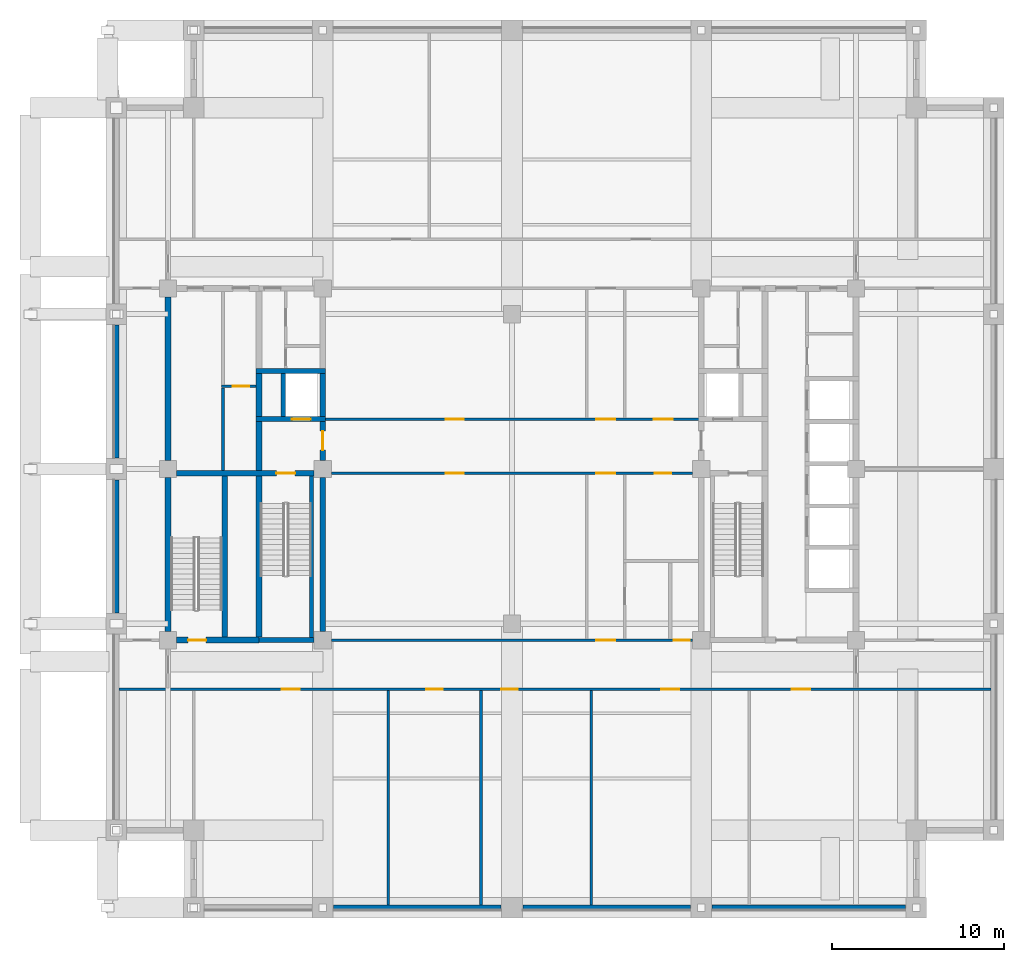
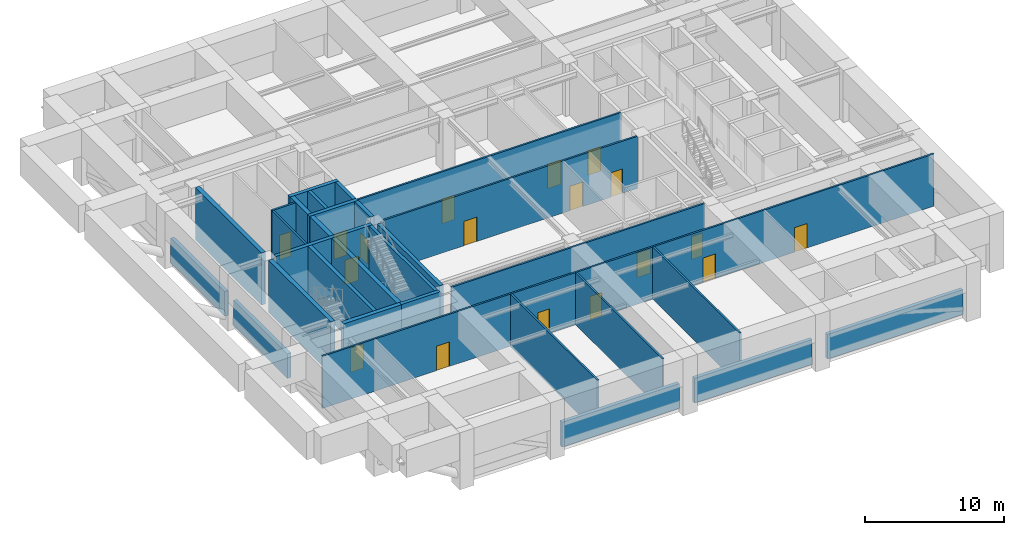
# One storey, part 3 of 11: 30 walls, 18 doors, 18 openings.
"""IFC4 building model written with IfcOpenShell, lengths in metres."""

from ifc_helpers import new_model, si_unit, direction, frame, frame_2d, origin, place, context, subcontext, project, spatial, rectangle, extrude, material, layer, layer_set, type_object, element, fill, save


model = new_model("IFC4")

# Units and contexts
model_context = context("Model", 3, precision=1e-05, world=origin(), true_north=direction((0.0, 1.0)))
body_context = subcontext(model_context, "Body", "Model", "MODEL_VIEW")
ifc_project = project(units=[si_unit("LENGTHUNIT", "METRE"), si_unit("AREAUNIT", "SQUARE_METRE"), si_unit("VOLUMEUNIT", "CUBIC_METRE"), si_unit("PLANEANGLEUNIT", "RADIAN"), si_unit("MASSUNIT", "GRAM", prefix="KILO")], contexts=[model_context])

# Site, building, storey
site_placement = place(None, origin())
site = spatial("IfcSite", under=ifc_project, at=site_placement, CompositionType="ELEMENT")
building_placement = place(site_placement, origin())
building = spatial("IfcBuilding", under=site, at=building_placement, Name="Zulmaris Gate Convention Tower", CompositionType="ELEMENT")
storey_placement = place(building_placement, frame((0.0, 0.0, 116.349853515625)))
storey = spatial("IfcBuildingStorey", under=building, at=storey_placement, Name="L29", CompositionType="ELEMENT", Elevation=116.349853515625)

# Walls
ifc_material_1 = material(Name="Concrete C50/60", Category="concrete")
ifc_layer_1 = layer(ifc_material_1, 0.25, Name="Concrete C50/60")
ifc_layer_set_1 = layer_set([ifc_layer_1], Name="Concrete C50/60")
wall_type_1 = type_object("IfcWallType", Name="CORE-250", PredefinedType="SOLIDWALL", material=ifc_layer_set_1)
wall_1_placement = place(storey_placement, frame((-13.300048828125, 3.052001953125, 0.0), z_axis=(0.0, 0.0, 1.0), x_axis=(0.0, 1.0, 0.0)))
element("IfcWall", 1, at=wall_1_placement, inside=storey, type_object=wall_type_1, Name="WL-L29-044", PredefinedType="SOLIDWALL", context=body_context, shape_type="SweptSolid", body=[
    extrude(rectangle(XDim=2.49609375, YDim=0.25, at=frame_2d((1.248046875, 0.0))), origin(), (0.0, 0.0, 1.0), 4.574951171875),
])
wall_2_placement = place(storey_placement, frame((-11.64990234375, -9.798095703125, 0.0), z_axis=(0.0, 0.0, 1.0), x_axis=(0.0, 1.0, 0.0)))
element("IfcWall", 2, at=wall_2_placement, inside=storey, type_object=wall_type_1, Name="WL-L29-045", PredefinedType="SOLIDWALL", context=body_context, shape_type="SweptSolid", body=[
    extrude(rectangle(XDim=9.39599609375, YDim=0.25, at=frame_2d((4.697998046875, 0.0))), origin(), (0.0, 0.0, 1.0), 4.574951171875),
])
ifc_layer_2 = layer(ifc_material_1, 0.300048828125, Name="Concrete C50/60")
ifc_layer_set_2 = layer_set([ifc_layer_2], Name="Concrete C50/60")
wall_type_2 = type_object("IfcWallType", Name="CORE-300", PredefinedType="SHEAR", material=ifc_layer_set_2)
wall_3_placement = place(storey_placement, frame((-14.699951171875, -9.949951171875, 0.0), z_axis=(0.0, 0.0, 1.0), x_axis=(1.0, 0.0, 0.0)))
element("IfcWall", 3, at=wall_3_placement, inside=storey, type_object=wall_type_2, Name="WL-L29-002", PredefinedType="SHEAR", context=body_context, shape_type="SweptSolid", body=[
    extrude(rectangle(XDim=3.196044921875, YDim=0.300048828125, at=frame_2d((1.59814453125, 0.0))), origin(), (0.0, 0.0, 1.0), 4.574951171875),
])

# Wall, opening, door
wall_4_placement = place(storey_placement, frame((-19.49609375, -0.25, 0.0), z_axis=(0.0, 0.0, 1.0), x_axis=(1.0, 0.0, 0.0)))
wall_4 = element("IfcWall", 4, at=wall_4_placement, inside=storey, type_object=wall_type_2, Name="WL-L29-008", PredefinedType="SHEAR", context=body_context, shape_type="SweptSolid", body=[
    extrude(rectangle(XDim=7.9921875, YDim=0.300048828125, at=frame_2d((3.99609375, 0.0))), origin(), (0.0, 0.0, 1.0), 4.574951171875),
])
opening_1_placement = place(wall_4_placement, frame((5.7958984375, 0.0, 0.0)))
opening_1 = element("IfcOpeningElement", 5, at=opening_1_placement, cuts=wall_4, Name="Opening D-08", PredefinedType="OPENING", context=body_context, shape_type="SweptSolid", body=[
    extrude(rectangle(XDim=1.10009765625, YDim=2.14990234375, at=frame_2d((0.550048828125, 1.074951171875))), frame((0.0, 0.16015625, 0.0), z_axis=(0.0, -1.0, 0.0), x_axis=(1.0, 0.0, 0.0)), (0.0, 0.0, 1.0), 0.320068359375),
])
ifc_material_2 = material(Name="Fire-Rated Steel", Category="steel")
door_type_1 = type_object("IfcDoorType", Name="DR-1100-FD", OperationType="NOTDEFINED", PredefinedType="DOOR", material=ifc_material_2)
door_1_placement = place(opening_1_placement, origin())
door_1 = element("IfcDoor", 6, at=door_1_placement, inside=storey, type_object=door_type_1, Name="L29 Exit Stair ST-1 Door 01", OperationType="SINGLE_SWING_RIGHT", OverallHeight=2.14990234375, OverallWidth=1.10009765625, PredefinedType="DOOR", context=body_context, shape_type="SweptSolid", body=[
    extrude(rectangle(XDim=1.10009765625, YDim=2.14990234375, at=frame_2d((0.550048828125, 1.074951171875))), frame((0.0, 0.02490234375, 0.0), z_axis=(0.0, -1.0, 0.0), x_axis=(1.0, 0.0, 0.0)), (0.0, 0.0, 1.0), 0.050048828125),
])
fill(opening_1, door_1)

wall_5_placement = place(storey_placement, frame((-14.875, 2.89990234375, 0.0), z_axis=(0.0, 0.0, 1.0), x_axis=(1.0, 0.0, 0.0)))
wall_5 = element("IfcWall", 7, at=wall_5_placement, inside=storey, type_object=wall_type_2, Name="WL-L29-012", PredefinedType="SHEAR", context=body_context, shape_type="SweptSolid", body=[
    extrude(rectangle(XDim=4.02490234375, YDim=0.300048828125, at=frame_2d((2.012451171875, 0.0))), origin(), (0.0, 0.0, 1.0), 4.574951171875),
])
opening_2_placement = place(wall_5_placement, frame((2.074951171875, 0.0, 0.0)))
opening_2 = element("IfcOpeningElement", 8, at=opening_2_placement, cuts=wall_5, Name="Opening D-06", PredefinedType="OPENING", context=body_context, shape_type="SweptSolid", body=[
    extrude(rectangle(XDim=1.10009765625, YDim=2.199951171875, at=frame_2d((0.550048828125, 1.10009765625))), frame((0.0, 0.16015625, 0.0), z_axis=(0.0, -1.0, 0.0), x_axis=(1.0, 0.0, 0.0)), (0.0, 0.0, 1.0), 0.320068359375),
])
ifc_material_3 = material(Name="Brushed Stainless Steel", Category="steel")
door_type_2 = type_object("IfcDoorType", Name="LD-1100", OperationType="NOTDEFINED", PredefinedType="DOOR", material=ifc_material_3)
door_2_placement = place(opening_2_placement, origin())
door_2 = element("IfcDoor", 9, at=door_2_placement, inside=storey, type_object=door_type_2, Name="L29 Lift Landing Door LF-01 03", OperationType="SLIDING_TO_LEFT", OverallHeight=2.199951171875, OverallWidth=1.10009765625, PredefinedType="DOOR", context=body_context, shape_type="SweptSolid", body=[
    extrude(rectangle(XDim=1.10009765625, YDim=2.199951171875, at=frame_2d((0.550048828125, 1.10009765625))), frame((0.0, 0.02490234375, 0.0), z_axis=(0.0, -1.0, 0.0), x_axis=(1.0, 0.0, 0.0)), (0.0, 0.0, 1.0), 0.050048828125),
])
fill(opening_2, door_2)

# Walls
wall_6_placement = place(storey_placement, frame((-14.875, 5.699951171875, 0.0), z_axis=(0.0, 0.0, 1.0), x_axis=(1.0, 0.0, 0.0)))
element("IfcWall", 10, at=wall_6_placement, inside=storey, type_object=wall_type_2, Name="WL-L29-015", PredefinedType="SHEAR", context=body_context, shape_type="SweptSolid", body=[
    extrude(rectangle(XDim=4.02490234375, YDim=0.300048828125, at=frame_2d((2.012451171875, 0.0))), origin(), (0.0, 0.0, 1.0), 4.574951171875),
])
wall_7_placement = place(storey_placement, frame((-16.699951171875, -9.77294921875, 0.0), z_axis=(0.0, 0.0, 1.0), x_axis=(0.0, 1.0, 0.0)))
element("IfcWall", 11, at=wall_7_placement, inside=storey, type_object=wall_type_2, Name="WL-L29-039", PredefinedType="SHEAR", context=body_context, shape_type="SweptSolid", body=[
    extrude(rectangle(XDim=9.370849609375, YDim=0.300048828125, at=frame_2d((4.685546875, 0.0))), origin(), (0.0, 0.0, 1.0), 4.574951171875),
])
wall_8_placement = place(storey_placement, frame((-11.0, -9.446044921875, 0.0), z_axis=(0.0, 0.0, 1.0), x_axis=(0.0, 1.0, 0.0)))
element("IfcWall", 12, at=wall_8_placement, inside=storey, type_object=wall_type_2, Name="WL-L29-046", PredefinedType="SHEAR", context=body_context, shape_type="SweptSolid", body=[
    extrude(rectangle(XDim=8.942138671875, YDim=0.300048828125, at=frame_2d((4.47119140625, 0.0))), origin(), (0.0, 0.0, 1.0), 4.574951171875),
])

# Wall, opening, door
wall_9_placement = place(storey_placement, frame((-11.0, 0.50390625, 0.0), z_axis=(0.0, 0.0, 1.0), x_axis=(0.0, 1.0, 0.0)))
wall_9 = element("IfcWall", 13, at=wall_9_placement, inside=storey, type_object=wall_type_2, Name="WL-L29-047", PredefinedType="SHEAR", context=body_context, shape_type="SweptSolid", body=[
    extrude(rectangle(XDim=2.244140625, YDim=0.300048828125, at=frame_2d((1.1220703125, 0.0))), origin(), (0.0, 0.0, 1.0), 4.574951171875),
])
opening_3_placement = place(wall_9_placement, frame((0.595947265625, 0.0, 0.0)))
opening_3 = element("IfcOpeningElement", 14, at=opening_3_placement, cuts=wall_9, Name="Opening D-08", PredefinedType="OPENING", context=body_context, shape_type="SweptSolid", body=[
    extrude(rectangle(XDim=1.10009765625, YDim=2.14990234375, at=frame_2d((0.550048828125, 1.074951171875))), frame((0.0, 0.16015625, 0.0), z_axis=(0.0, -1.0, 0.0), x_axis=(1.0, 0.0, 0.0)), (0.0, 0.0, 1.0), 0.320068359375),
])
door_3_placement = place(opening_3_placement, origin())
door_3 = element("IfcDoor", 15, at=door_3_placement, inside=storey, type_object=door_type_1, Name="L29 West Firefighting Lobby Door 02", OperationType="SINGLE_SWING_LEFT", OverallHeight=2.14990234375, OverallWidth=1.10009765625, PredefinedType="DOOR", context=body_context, shape_type="SweptSolid", body=[
    extrude(rectangle(XDim=1.10009765625, YDim=2.14990234375, at=frame_2d((0.550048828125, 1.074951171875))), frame((0.0, 0.02490234375, 0.0), z_axis=(0.0, -1.0, 0.0), x_axis=(1.0, 0.0, 0.0)), (0.0, 0.0, 1.0), 0.050048828125),
])
fill(opening_3, door_3)

# Wall
wall_10_placement = place(storey_placement, frame((-11.0, 3.052001953125, 0.0), z_axis=(0.0, 0.0, 1.0), x_axis=(0.0, 1.0, 0.0)))
element("IfcWall", 16, at=wall_10_placement, inside=storey, type_object=wall_type_2, Name="WL-L29-048", PredefinedType="SHEAR", context=body_context, shape_type="SweptSolid", body=[
    extrude(rectangle(XDim=2.49609375, YDim=0.300048828125, at=frame_2d((1.248046875, 0.0))), origin(), (0.0, 0.0, 1.0), 4.574951171875),
])

# Wall, opening, door
ifc_material_4 = material(Name="Concrete C55/67", Category="concrete")
ifc_layer_3 = layer(ifc_material_4, 0.35009765625, Name="Concrete C55/67")
ifc_layer_set_3 = layer_set([ifc_layer_3], Name="Concrete C55/67")
wall_type_3 = type_object("IfcWallType", Name="CORE-350", PredefinedType="SHEAR", material=ifc_layer_set_3)
wall_11_placement = place(storey_placement, frame((-19.49609375, -9.949951171875, 0.0), z_axis=(0.0, 0.0, 1.0), x_axis=(1.0, 0.0, 0.0)))
wall_11 = element("IfcWall", 17, at=wall_11_placement, inside=storey, type_object=wall_type_3, Name="WL-L29-001", PredefinedType="SHEAR", context=body_context, shape_type="SweptSolid", body=[
    extrude(rectangle(XDim=4.796142578125, YDim=0.35009765625, at=frame_2d((2.39794921875, 0.0))), origin(), (0.0, 0.0, 1.0), 4.574951171875),
])
opening_4_placement = place(wall_11_placement, frame((0.6708984375, 0.0, 0.0)))
opening_4 = element("IfcOpeningElement", 18, at=opening_4_placement, cuts=wall_11, Name="Opening D-09", PredefinedType="OPENING", context=body_context, shape_type="SweptSolid", body=[
    extrude(rectangle(XDim=1.050048828125, YDim=2.14990234375, at=frame_2d((0.52490234375, 1.074951171875))), frame((0.0, 0.18505859375, 0.0), z_axis=(0.0, -1.0, 0.0), x_axis=(1.0, 0.0, 0.0)), (0.0, 0.0, 1.0), 0.3701171875),
])
door_type_3 = type_object("IfcDoorType", Name="DR-1050-FD", OperationType="NOTDEFINED", PredefinedType="DOOR", material=ifc_material_2)
door_4_placement = place(opening_4_placement, origin())
door_4 = element("IfcDoor", 19, at=door_4_placement, inside=storey, type_object=door_type_3, Name="L29 Exit Stair ST-3 Door 13", OperationType="SINGLE_SWING_RIGHT", OverallHeight=2.14990234375, OverallWidth=1.050048828125, PredefinedType="DOOR", context=body_context, shape_type="SweptSolid", body=[
    extrude(rectangle(XDim=1.050048828125, YDim=2.14990234375, at=frame_2d((0.52490234375, 1.074951171875))), frame((0.0, 0.02490234375, 0.0), z_axis=(0.0, -1.0, 0.0), x_axis=(1.0, 0.0, 0.0)), (0.0, 0.0, 1.0), 0.050048828125),
])
fill(opening_4, door_4)

# Walls
wall_12_placement = place(storey_placement, frame((-20.0, -9.446044921875, 0.0), z_axis=(0.0, 0.0, 1.0), x_axis=(0.0, 1.0, 0.0)))
element("IfcWall", 20, at=wall_12_placement, inside=storey, type_object=wall_type_3, Name="WL-L29-037", PredefinedType="SHEAR", context=body_context, shape_type="SweptSolid", body=[
    extrude(rectangle(XDim=8.942138671875, YDim=0.35009765625, at=frame_2d((4.47119140625, 0.0))), origin(), (0.0, 0.0, 1.0), 4.574951171875),
])
wall_13_placement = place(storey_placement, frame((-20.0, 0.50390625, 0.0), z_axis=(0.0, 0.0, 1.0), x_axis=(0.0, 1.0, 0.0)))
element("IfcWall", 21, at=wall_13_placement, inside=storey, type_object=wall_type_3, Name="WL-L29-038", PredefinedType="SHEAR", context=body_context, shape_type="SweptSolid", body=[
    extrude(rectangle(XDim=9.4921875, YDim=0.35009765625, at=frame_2d((4.74609375, 0.0))), origin(), (0.0, 0.0, 1.0), 4.574951171875),
])
wall_14_placement = place(storey_placement, frame((-14.699951171875, -9.77294921875, 0.0), z_axis=(0.0, 0.0, 1.0), x_axis=(0.0, 1.0, 0.0)))
element("IfcWall", 22, at=wall_14_placement, inside=storey, type_object=wall_type_3, Name="WL-L29-040", PredefinedType="SHEAR", context=body_context, shape_type="SweptSolid", body=[
    extrude(rectangle(XDim=9.370849609375, YDim=0.35009765625, at=frame_2d((4.685546875, 0.0))), origin(), (0.0, 0.0, 1.0), 4.574951171875),
])
wall_15_placement = place(storey_placement, frame((-14.699951171875, -0.097900390625, 0.0), z_axis=(0.0, 0.0, 1.0), x_axis=(0.0, 1.0, 0.0)))
element("IfcWall", 23, at=wall_15_placement, inside=storey, type_object=wall_type_3, Name="WL-L29-041", PredefinedType="SHEAR", context=body_context, shape_type="SweptSolid", body=[
    extrude(rectangle(XDim=2.845947265625, YDim=0.35009765625, at=frame_2d((1.4228515625, 0.0))), origin(), (0.0, 0.0, 1.0), 4.574951171875),
])
wall_16_placement = place(storey_placement, frame((-14.699951171875, 3.052001953125, 0.0), z_axis=(0.0, 0.0, 1.0), x_axis=(0.0, 1.0, 0.0)))
element("IfcWall", 24, at=wall_16_placement, inside=storey, type_object=wall_type_3, Name="WL-L29-042", PredefinedType="SHEAR", context=body_context, shape_type="SweptSolid", body=[
    extrude(rectangle(XDim=2.49609375, YDim=0.35009765625, at=frame_2d((1.248046875, 0.0))), origin(), (0.0, 0.0, 1.0), 4.574951171875),
])

# Wall, openings, doors
ifc_material_5 = material(Name="Gypsum Metal Stud Partition")
ifc_layer_4 = layer(ifc_material_5, 0.14990234375, Name="Gypsum Metal Stud Partition")
ifc_layer_set_4 = layer_set([ifc_layer_4], Name="Gypsum Metal Stud Partition")
wall_type_4 = type_object("IfcWallType", Name="PART-150", PredefinedType="PARTITIONING", material=ifc_layer_set_4)
wall_17_placement = place(storey_placement, frame((-22.8349609375, -12.800048828125, 0.0), z_axis=(0.0, 0.0, 1.0), x_axis=(1.0, 0.0, 0.0)))
wall_17 = element("IfcWall", 25, at=wall_17_placement, inside=storey, type_object=wall_type_4, Name="WL-L29-021", PredefinedType="PARTITIONING", context=body_context, shape_type="SweptSolid", body=[
    extrude(rectangle(XDim=50.669921875, YDim=0.14990234375, at=frame_2d((25.3349609375, 0.0))), origin(), (0.0, 0.0, 1.0), 4.574951171875),
])
opening_5_placement = place(wall_17_placement, frame((9.4599609375, 0.0, 0.0)))
opening_5 = element("IfcOpeningElement", 26, at=opening_5_placement, cuts=wall_17, Name="Opening D-09", PredefinedType="OPENING", context=body_context, shape_type="SweptSolid", body=[
    extrude(rectangle(XDim=1.050048828125, YDim=2.14990234375, at=frame_2d((0.52490234375, 1.074951171875))), frame((0.0, 0.0849609375, 0.0), z_axis=(0.0, -1.0, 0.0), x_axis=(1.0, 0.0, 0.0)), (0.0, 0.0, 1.0), 0.169921875),
])
opening_6_placement = place(wall_17_placement, frame((17.860107421875, 0.0, 0.0)))
opening_6 = element("IfcOpeningElement", 27, at=opening_6_placement, cuts=wall_17, Name="Opening D-11", PredefinedType="OPENING", context=body_context, shape_type="SweptSolid", body=[
    extrude(rectangle(XDim=0.949951171875, YDim=2.14990234375, at=frame_2d((0.47509765625, 1.074951171875))), frame((0.0, 0.0849609375, 0.0), z_axis=(0.0, -1.0, 0.0), x_axis=(1.0, 0.0, 0.0)), (0.0, 0.0, 1.0), 0.169921875),
])
opening_7_placement = place(wall_17_placement, frame((22.2099609375, 0.0, 0.0)))
opening_7 = element("IfcOpeningElement", 28, at=opening_7_placement, cuts=wall_17, Name="Opening D-25", PredefinedType="OPENING", context=body_context, shape_type="SweptSolid", body=[
    extrude(rectangle(XDim=0.949951171875, YDim=2.02001953125, at=frame_2d((0.47509765625, 1.010009765625))), frame((0.0, 0.0849609375, 0.0), z_axis=(0.0, -1.0, 0.0), x_axis=(1.0, 0.0, 0.0)), (0.0, 0.0, 1.0), 0.169921875),
])
opening_8_placement = place(wall_17_placement, frame((31.510009765625, 0.0, 0.0)))
opening_8 = element("IfcOpeningElement", 29, at=opening_8_placement, cuts=wall_17, Name="Opening D-09", PredefinedType="OPENING", context=body_context, shape_type="SweptSolid", body=[
    extrude(rectangle(XDim=1.050048828125, YDim=2.14990234375, at=frame_2d((0.52490234375, 1.074951171875))), frame((0.0, 0.0849609375, 0.0), z_axis=(0.0, -1.0, 0.0), x_axis=(1.0, 0.0, 0.0)), (0.0, 0.0, 1.0), 0.169921875),
])
opening_9_placement = place(wall_17_placement, frame((39.110107421875, 0.0, 0.0)))
opening_9 = element("IfcOpeningElement", 30, at=opening_9_placement, cuts=wall_17, Name="Opening D-09", PredefinedType="OPENING", context=body_context, shape_type="SweptSolid", body=[
    extrude(rectangle(XDim=1.050048828125, YDim=2.14990234375, at=frame_2d((0.52490234375, 1.074951171875))), frame((0.0, 0.0849609375, 0.0), z_axis=(0.0, -1.0, 0.0), x_axis=(1.0, 0.0, 0.0)), (0.0, 0.0, 1.0), 0.169921875),
])
door_5_placement = place(opening_5_placement, origin())
door_5 = element("IfcDoor", 31, at=door_5_placement, inside=storey, type_object=door_type_3, Name="L29 Partner Corner Office Door 31", OperationType="SINGLE_SWING_RIGHT", OverallHeight=2.14990234375, OverallWidth=1.050048828125, PredefinedType="DOOR", context=body_context, shape_type="SweptSolid", body=[
    extrude(rectangle(XDim=1.050048828125, YDim=2.14990234375, at=frame_2d((0.52490234375, 1.074951171875))), frame((0.0, 0.02490234375, 0.0), z_axis=(0.0, -1.0, 0.0), x_axis=(1.0, 0.0, 0.0)), (0.0, 0.0, 1.0), 0.050048828125),
])
fill(opening_5, door_5)
door_6_placement = place(opening_8_placement, origin())
door_6 = element("IfcDoor", 32, at=door_6_placement, inside=storey, type_object=door_type_3, Name="L29 Executive Office Door 34", OperationType="SINGLE_SWING_LEFT", OverallHeight=2.14990234375, OverallWidth=1.050048828125, PredefinedType="DOOR", context=body_context, shape_type="SweptSolid", body=[
    extrude(rectangle(XDim=1.050048828125, YDim=2.14990234375, at=frame_2d((0.52490234375, 1.074951171875))), frame((0.0, 0.02490234375, 0.0), z_axis=(0.0, -1.0, 0.0), x_axis=(1.0, 0.0, 0.0)), (0.0, 0.0, 1.0), 0.050048828125),
])
fill(opening_8, door_6)
door_7_placement = place(opening_9_placement, origin())
door_7 = element("IfcDoor", 33, at=door_7_placement, inside=storey, type_object=door_type_3, Name="L29 Partner Corner Office Door 35", OperationType="SINGLE_SWING_RIGHT", OverallHeight=2.14990234375, OverallWidth=1.050048828125, PredefinedType="DOOR", context=body_context, shape_type="SweptSolid", body=[
    extrude(rectangle(XDim=1.050048828125, YDim=2.14990234375, at=frame_2d((0.52490234375, 1.074951171875))), frame((0.0, 0.02490234375, 0.0), z_axis=(0.0, -1.0, 0.0), x_axis=(1.0, 0.0, 0.0)), (0.0, 0.0, 1.0), 0.050048828125),
])
fill(opening_9, door_7)
ifc_material_6 = material(Name="Fire-Rated Timber", Category="wood")
door_type_4 = type_object("IfcDoorType", Name="DR-950-FD", OperationType="NOTDEFINED", PredefinedType="DOOR", material=ifc_material_6)
door_8_placement = place(opening_6_placement, origin())
door_8 = element("IfcDoor", 34, at=door_8_placement, inside=storey, type_object=door_type_4, Name="L29 Advisory Suite Office Door 32", OperationType="SINGLE_SWING_LEFT", OverallHeight=2.14990234375, OverallWidth=0.949951171875, PredefinedType="DOOR", context=body_context, shape_type="SweptSolid", body=[
    extrude(rectangle(XDim=0.949951171875, YDim=2.14990234375, at=frame_2d((0.47509765625, 1.074951171875))), frame((0.0, 0.02490234375, 0.0), z_axis=(0.0, -1.0, 0.0), x_axis=(1.0, 0.0, 0.0)), (0.0, 0.0, 1.0), 0.050048828125),
])
fill(opening_6, door_8)
door_type_5 = type_object("IfcDoorType", Name="DR-950-LOW-FD", OperationType="NOTDEFINED", PredefinedType="DOOR", material=ifc_material_2)
door_9_placement = place(opening_7_placement, origin())
door_9 = element("IfcDoor", 35, at=door_9_placement, inside=storey, type_object=door_type_5, Name="L29 Open Plan Workplace Door 33", OperationType="SINGLE_SWING_RIGHT", OverallHeight=2.02001953125, OverallWidth=0.949951171875, PredefinedType="DOOR", context=body_context, shape_type="SweptSolid", body=[
    extrude(rectangle(XDim=0.949951171875, YDim=2.02001953125, at=frame_2d((0.47509765625, 1.010009765625))), frame((0.0, 0.02490234375, 0.0), z_axis=(0.0, -1.0, 0.0), x_axis=(1.0, 0.0, 0.0)), (0.0, 0.0, 1.0), 0.050048828125),
])
fill(opening_7, door_9)

wall_18_placement = place(storey_placement, frame((-10.493896484375, -9.949951171875, 0.0), z_axis=(0.0, 0.0, 1.0), x_axis=(1.0, 0.0, 0.0)))
wall_18 = element("IfcWall", 36, at=wall_18_placement, inside=storey, type_object=wall_type_4, Name="WL-L29-023", PredefinedType="PARTITIONING", context=body_context, shape_type="SweptSolid", body=[
    extrude(rectangle(XDim=20.98779296875, YDim=0.14990234375, at=frame_2d((10.493896484375, 0.0))), origin(), (0.0, 0.0, 1.0), 4.574951171875),
])
opening_10_placement = place(wall_18_placement, frame((15.39404296875, 0.0, 0.0)))
opening_10 = element("IfcOpeningElement", 37, at=opening_10_placement, cuts=wall_18, Name="Opening D-08", PredefinedType="OPENING", context=body_context, shape_type="SweptSolid", body=[
    extrude(rectangle(XDim=1.10009765625, YDim=2.14990234375, at=frame_2d((0.550048828125, 1.074951171875))), frame((0.0, 0.0849609375, 0.0), z_axis=(0.0, -1.0, 0.0), x_axis=(1.0, 0.0, 0.0)), (0.0, 0.0, 1.0), 0.169921875),
])
opening_11_placement = place(wall_18_placement, frame((19.887939453125, 0.0, 0.0)))
opening_11 = element("IfcOpeningElement", 38, at=opening_11_placement, cuts=wall_18, Name="Opening D-25", PredefinedType="OPENING", context=body_context, shape_type="SweptSolid", body=[
    extrude(rectangle(XDim=0.949951171875, YDim=2.02001953125, at=frame_2d((0.47509765625, 1.010009765625))), frame((0.0, 0.0849609375, 0.0), z_axis=(0.0, -1.0, 0.0), x_axis=(1.0, 0.0, 0.0)), (0.0, 0.0, 1.0), 0.169921875),
])
door_10_placement = place(opening_10_placement, origin())
door_10 = element("IfcDoor", 39, at=door_10_placement, inside=storey, type_object=door_type_1, Name="L29 South Gallery Link Door 26", OperationType="SINGLE_SWING_LEFT", OverallHeight=2.14990234375, OverallWidth=1.10009765625, PredefinedType="DOOR", context=body_context, shape_type="SweptSolid", body=[
    extrude(rectangle(XDim=1.10009765625, YDim=2.14990234375, at=frame_2d((0.550048828125, 1.074951171875))), frame((0.0, 0.02490234375, 0.0), z_axis=(0.0, -1.0, 0.0), x_axis=(1.0, 0.0, 0.0)), (0.0, 0.0, 1.0), 0.050048828125),
])
fill(opening_10, door_10)
door_11_placement = place(opening_11_placement, origin())
door_11 = element("IfcDoor", 40, at=door_11_placement, inside=storey, type_object=door_type_5, Name="L29 Vault Store Door 41", OperationType="SINGLE_SWING_RIGHT", OverallHeight=2.02001953125, OverallWidth=0.949951171875, PredefinedType="DOOR", context=body_context, shape_type="SweptSolid", body=[
    extrude(rectangle(XDim=0.949951171875, YDim=2.02001953125, at=frame_2d((0.47509765625, 1.010009765625))), frame((0.0, 0.02490234375, 0.0), z_axis=(0.0, -1.0, 0.0), x_axis=(1.0, 0.0, 0.0)), (0.0, 0.0, 1.0), 0.050048828125),
])
fill(opening_11, door_11)

wall_19_placement = place(storey_placement, frame((-10.493896484375, -0.25, 0.0), z_axis=(0.0, 0.0, 1.0), x_axis=(1.0, 0.0, 0.0)))
wall_19 = element("IfcWall", 41, at=wall_19_placement, inside=storey, type_object=wall_type_4, Name="WL-L29-026", PredefinedType="PARTITIONING", context=body_context, shape_type="SweptSolid", body=[
    extrude(rectangle(XDim=20.98779296875, YDim=0.14990234375, at=frame_2d((10.493896484375, 0.0))), origin(), (0.0, 0.0, 1.0), 4.574951171875),
])
opening_12_placement = place(wall_19_placement, frame((15.39404296875, 0.0, 0.0)))
opening_12 = element("IfcOpeningElement", 42, at=opening_12_placement, cuts=wall_19, Name="Opening D-08", PredefinedType="OPENING", context=body_context, shape_type="SweptSolid", body=[
    extrude(rectangle(XDim=1.10009765625, YDim=2.14990234375, at=frame_2d((0.550048828125, 1.074951171875))), frame((0.0, 0.0849609375, 0.0), z_axis=(0.0, -1.0, 0.0), x_axis=(1.0, 0.0, 0.0)), (0.0, 0.0, 1.0), 0.169921875),
])
opening_13_placement = place(wall_19_placement, frame((6.638916015625, 0.0, 0.0)))
opening_13 = element("IfcOpeningElement", 43, at=opening_13_placement, cuts=wall_19, Name="Opening D-09", PredefinedType="OPENING", context=body_context, shape_type="SweptSolid", body=[
    extrude(rectangle(XDim=1.050048828125, YDim=2.14990234375, at=frame_2d((0.52490234375, 1.074951171875))), frame((0.0, 0.0849609375, 0.0), z_axis=(0.0, -1.0, 0.0), x_axis=(1.0, 0.0, 0.0)), (0.0, 0.0, 1.0), 0.169921875),
])
opening_14_placement = place(wall_19_placement, frame((18.799072265625, 0.0, 0.0)))
opening_14 = element("IfcOpeningElement", 44, at=opening_14_placement, cuts=wall_19, Name="Opening D-11", PredefinedType="OPENING", context=body_context, shape_type="SweptSolid", body=[
    extrude(rectangle(XDim=0.949951171875, YDim=2.14990234375, at=frame_2d((0.47509765625, 1.074951171875))), frame((0.0, 0.0849609375, 0.0), z_axis=(0.0, -1.0, 0.0), x_axis=(1.0, 0.0, 0.0)), (0.0, 0.0, 1.0), 0.169921875),
])
door_12_placement = place(opening_13_placement, origin())
door_12 = element("IfcDoor", 45, at=door_12_placement, inside=storey, type_object=door_type_3, Name="L29 Sky Library Door 38", OperationType="SINGLE_SWING_LEFT", OverallHeight=2.14990234375, OverallWidth=1.050048828125, PredefinedType="DOOR", context=body_context, shape_type="SweptSolid", body=[
    extrude(rectangle(XDim=1.050048828125, YDim=2.14990234375, at=frame_2d((0.52490234375, 1.074951171875))), frame((0.0, 0.02490234375, 0.0), z_axis=(0.0, -1.0, 0.0), x_axis=(1.0, 0.0, 0.0)), (0.0, 0.0, 1.0), 0.050048828125),
])
fill(opening_13, door_12)
door_13_placement = place(opening_12_placement, origin())
door_13 = element("IfcDoor", 46, at=door_13_placement, inside=storey, type_object=door_type_1, Name="L29 Cross Spine South Door 28", OperationType="SINGLE_SWING_LEFT", OverallHeight=2.14990234375, OverallWidth=1.10009765625, PredefinedType="DOOR", context=body_context, shape_type="SweptSolid", body=[
    extrude(rectangle(XDim=1.10009765625, YDim=2.14990234375, at=frame_2d((0.550048828125, 1.074951171875))), frame((0.0, 0.02490234375, 0.0), z_axis=(0.0, -1.0, 0.0), x_axis=(1.0, 0.0, 0.0)), (0.0, 0.0, 1.0), 0.050048828125),
])
fill(opening_12, door_13)
door_14_placement = place(opening_14_placement, origin())
door_14 = element("IfcDoor", 47, at=door_14_placement, inside=storey, type_object=door_type_4, Name="L29 Public WC Door 39", OperationType="SINGLE_SWING_RIGHT", OverallHeight=2.14990234375, OverallWidth=0.949951171875, PredefinedType="DOOR", context=body_context, shape_type="SweptSolid", body=[
    extrude(rectangle(XDim=0.949951171875, YDim=2.14990234375, at=frame_2d((0.47509765625, 1.074951171875))), frame((0.0, 0.02490234375, 0.0), z_axis=(0.0, -1.0, 0.0), x_axis=(1.0, 0.0, 0.0)), (0.0, 0.0, 1.0), 0.050048828125),
])
fill(opening_14, door_14)

wall_20_placement = place(storey_placement, frame((-11.0, 2.89990234375, 0.0), z_axis=(0.0, 0.0, 1.0), x_axis=(1.0, 0.0, 0.0)))
wall_20 = element("IfcWall", 48, at=wall_20_placement, inside=storey, type_object=wall_type_4, Name="WL-L29-028", PredefinedType="PARTITIONING", context=body_context, shape_type="SweptSolid", body=[
    extrude(rectangle(XDim=22.0, YDim=0.14990234375, at=frame_2d((11.0, 0.0))), origin(), (0.0, 0.0, 1.0), 4.574951171875),
])
opening_15_placement = place(wall_20_placement, frame((15.89990234375, 0.0, 0.0)))
opening_15 = element("IfcOpeningElement", 49, at=opening_15_placement, cuts=wall_20, Name="Opening D-08", PredefinedType="OPENING", context=body_context, shape_type="SweptSolid", body=[
    extrude(rectangle(XDim=1.10009765625, YDim=2.14990234375, at=frame_2d((0.550048828125, 1.074951171875))), frame((0.0, 0.0849609375, 0.0), z_axis=(0.0, -1.0, 0.0), x_axis=(1.0, 0.0, 0.0)), (0.0, 0.0, 1.0), 0.169921875),
])
opening_16_placement = place(wall_20_placement, frame((7.14501953125, 0.0, 0.0)))
opening_16 = element("IfcOpeningElement", 50, at=opening_16_placement, cuts=wall_20, Name="Opening D-09", PredefinedType="OPENING", context=body_context, shape_type="SweptSolid", body=[
    extrude(rectangle(XDim=1.050048828125, YDim=2.14990234375, at=frame_2d((0.52490234375, 1.074951171875))), frame((0.0, 0.0849609375, 0.0), z_axis=(0.0, -1.0, 0.0), x_axis=(1.0, 0.0, 0.0)), (0.0, 0.0, 1.0), 0.169921875),
])
opening_17_placement = place(wall_20_placement, frame((19.22998046875, 0.0, 0.0)))
opening_17 = element("IfcOpeningElement", 51, at=opening_17_placement, cuts=wall_20, Name="Opening D-08", PredefinedType="OPENING", context=body_context, shape_type="SweptSolid", body=[
    extrude(rectangle(XDim=1.10009765625, YDim=2.14990234375, at=frame_2d((0.550048828125, 1.074951171875))), frame((0.0, 0.0849609375, 0.0), z_axis=(0.0, -1.0, 0.0), x_axis=(1.0, 0.0, 0.0)), (0.0, 0.0, 1.0), 0.169921875),
])
door_15_placement = place(opening_16_placement, origin())
door_15 = element("IfcDoor", 52, at=door_15_placement, inside=storey, type_object=door_type_3, Name="L29 Reception Door 36", OperationType="SINGLE_SWING_LEFT", OverallHeight=2.14990234375, OverallWidth=1.050048828125, PredefinedType="DOOR", context=body_context, shape_type="SweptSolid", body=[
    extrude(rectangle(XDim=1.050048828125, YDim=2.14990234375, at=frame_2d((0.52490234375, 1.074951171875))), frame((0.0, 0.02490234375, 0.0), z_axis=(0.0, -1.0, 0.0), x_axis=(1.0, 0.0, 0.0)), (0.0, 0.0, 1.0), 0.050048828125),
])
fill(opening_16, door_15)
door_16_placement = place(opening_15_placement, origin())
door_16 = element("IfcDoor", 53, at=door_16_placement, inside=storey, type_object=door_type_1, Name="L29 Cross Spine North Door 27", OperationType="SINGLE_SWING_RIGHT", OverallHeight=2.14990234375, OverallWidth=1.10009765625, PredefinedType="DOOR", context=body_context, shape_type="SweptSolid", body=[
    extrude(rectangle(XDim=1.10009765625, YDim=2.14990234375, at=frame_2d((0.550048828125, 1.074951171875))), frame((0.0, 0.02490234375, 0.0), z_axis=(0.0, -1.0, 0.0), x_axis=(1.0, 0.0, 0.0)), (0.0, 0.0, 1.0), 0.050048828125),
])
fill(opening_15, door_16)
door_17_placement = place(opening_17_placement, origin())
door_17 = element("IfcDoor", 54, at=door_17_placement, inside=storey, type_object=door_type_1, Name="L29 Townhall Forum Door 37", OperationType="SINGLE_SWING_RIGHT", OverallHeight=2.14990234375, OverallWidth=1.10009765625, PredefinedType="DOOR", context=body_context, shape_type="SweptSolid", body=[
    extrude(rectangle(XDim=1.10009765625, YDim=2.14990234375, at=frame_2d((0.550048828125, 1.074951171875))), frame((0.0, 0.02490234375, 0.0), z_axis=(0.0, -1.0, 0.0), x_axis=(1.0, 0.0, 0.0)), (0.0, 0.0, 1.0), 0.050048828125),
])
fill(opening_17, door_17)

# Wall, opening, door
wall_21_placement = place(storey_placement, frame((-16.875, 4.800048828125, 0.0), z_axis=(0.0, 0.0, 1.0), x_axis=(1.0, 0.0, 0.0)))
wall_21 = element("IfcWall", 55, at=wall_21_placement, inside=storey, type_object=wall_type_4, Name="WL-L29-029", PredefinedType="PARTITIONING", context=body_context, shape_type="SweptSolid", body=[
    extrude(rectangle(XDim=1.9970703125, YDim=0.14990234375, at=frame_2d((0.99853515625, 0.0))), origin(), (0.0, 0.0, 1.0), 4.574951171875),
])
opening_18_placement = place(wall_21_placement, frame((0.64990234375, 0.0, 0.0)))
opening_18 = element("IfcOpeningElement", 56, at=opening_18_placement, cuts=wall_21, Name="Opening D-11", PredefinedType="OPENING", context=body_context, shape_type="SweptSolid", body=[
    extrude(rectangle(XDim=0.949951171875, YDim=2.14990234375, at=frame_2d((0.47509765625, 1.074951171875))), frame((0.0, 0.0849609375, 0.0), z_axis=(0.0, -1.0, 0.0), x_axis=(1.0, 0.0, 0.0)), (0.0, 0.0, 1.0), 0.169921875),
])
door_18_placement = place(opening_18_placement, origin())
door_18 = element("IfcDoor", 57, at=door_18_placement, inside=storey, type_object=door_type_4, Name="L29 Cleaners Closet Door 16", OperationType="SINGLE_SWING_LEFT", OverallHeight=2.14990234375, OverallWidth=0.949951171875, PredefinedType="DOOR", context=body_context, shape_type="SweptSolid", body=[
    extrude(rectangle(XDim=0.949951171875, YDim=2.14990234375, at=frame_2d((0.47509765625, 1.074951171875))), frame((0.0, 0.02490234375, 0.0), z_axis=(0.0, -1.0, 0.0), x_axis=(1.0, 0.0, 0.0)), (0.0, 0.0, 1.0), 0.050048828125),
])
fill(opening_18, door_18)

# Walls
wall_22_placement = place(storey_placement, frame((-16.800048828125, -0.096923828125, 0.0), z_axis=(0.0, 0.0, 1.0), x_axis=(0.0, 1.0, 0.0)))
element("IfcWall", 58, at=wall_22_placement, inside=storey, type_object=wall_type_4, Name="WL-L29-076", PredefinedType="PARTITIONING", context=body_context, shape_type="SweptSolid", body=[
    extrude(rectangle(XDim=4.81884765625, YDim=0.14990234375, at=frame_2d((2.409423828125, 0.0))), origin(), (0.0, 0.0, 1.0), 4.574951171875),
])
for number, where, z_axis, x_axis, name in (
    (59, (-7.199951171875, -25.3349609375, 0.0), (0.0, 0.0, 1.0), (0.0, 1.0, 0.0), "WL-L29-080"),
    (60, (-1.800048828125, -25.3349609375, 0.0), (0.0, 0.0, 1.0), (0.0, 1.0, 0.0), "WL-L29-082"),
    (61, (4.60009765625, -25.3349609375, 0.0), (0.0, 0.0, 1.0), (0.0, 1.0, 0.0), "WL-L29-085"),
):
    element("IfcWall", number, at=place(storey_placement, frame(where, z_axis=z_axis, x_axis=x_axis)), inside=storey, type_object=wall_type_4, Name=name, PredefinedType="PARTITIONING", context=body_context, shape_type="SweptSolid", body=[
        extrude(rectangle(XDim=12.45703125, YDim=0.14990234375, at=frame_2d((6.228515625, 0.0))), origin(), (0.0, 0.0, 1.0), 4.574951171875),
    ])
ifc_material_7 = material(Name="Precast concrete C40/50", Category="concrete")
ifc_layer_5 = layer(ifc_material_7, 0.300048828125, Name="Precast concrete C40/50")
ifc_layer_set_5 = layer_set([ifc_layer_5], Name="Precast concrete C40/50")
wall_type_5 = type_object("IfcWallType", Name="PRECAST-PIER-300", PredefinedType="STANDARD", material=ifc_layer_set_5)
for number, where, z_axis, x_axis, name in (
    (62, (-10.3701171875, -25.5, 0.0), (0.0, 0.0, 1.0), (1.0, 0.0, 0.0), "EW-L29-S-1_0"),
    (63, (0.6298828125, -25.5, 0.0), (0.0, 0.0, 1.0), (1.0, 0.0, 0.0), "EW-L29-S-2_0"),
):
    element("IfcWall", number, at=place(storey_placement, frame(where, z_axis=z_axis, x_axis=x_axis)), inside=storey, type_object=wall_type_5, Name=name, PredefinedType="STANDARD", context=body_context, shape_type="SweptSolid", body=[
        extrude(rectangle(XDim=9.740234375, YDim=0.300048828125, at=frame_2d((4.8701171875, 0.0))), origin(), (0.0, 0.0, 1.0), 2.1669921875),
    ])
wall_23_placement = place(storey_placement, frame((11.6298828125, -25.5, 0.0), z_axis=(0.0, 0.0, 1.0), x_axis=(1.0, 0.0, 0.0)))
element("IfcWall", 64, at=wall_23_placement, inside=storey, type_object=wall_type_5, Name="EW-L29-S-3_0", PredefinedType="STANDARD", context=body_context, shape_type="SweptSolid", body=[
    extrude(rectangle(XDim=11.240234375, YDim=0.300048828125, at=frame_2d((5.6201171875, 0.0))), origin(), (0.0, 0.0, 1.0), 2.1669921875),
])
for number, where, z_axis, x_axis, name in (
    (65, (-23.0, -0.6298828125, 0.0), (0.0, 0.0, 1.0), (0.0, -1.0, 0.0), "EW-L29-W-1_0"),
    (66, (-23.0, 8.3701171875, 0.0), (0.0, 0.0, 1.0), (0.0, -1.0, 0.0), "EW-L29-W-2_0"),
):
    element("IfcWall", number, at=place(storey_placement, frame(where, z_axis=z_axis, x_axis=x_axis)), inside=storey, type_object=wall_type_5, Name=name, PredefinedType="STANDARD", context=body_context, shape_type="SweptSolid", body=[
        extrude(rectangle(XDim=7.740234375, YDim=0.300048828125, at=frame_2d((3.8701171875, 0.0))), origin(), (0.0, 0.0, 1.0), 2.1669921875),
    ])

save(model, "model.ifc")
